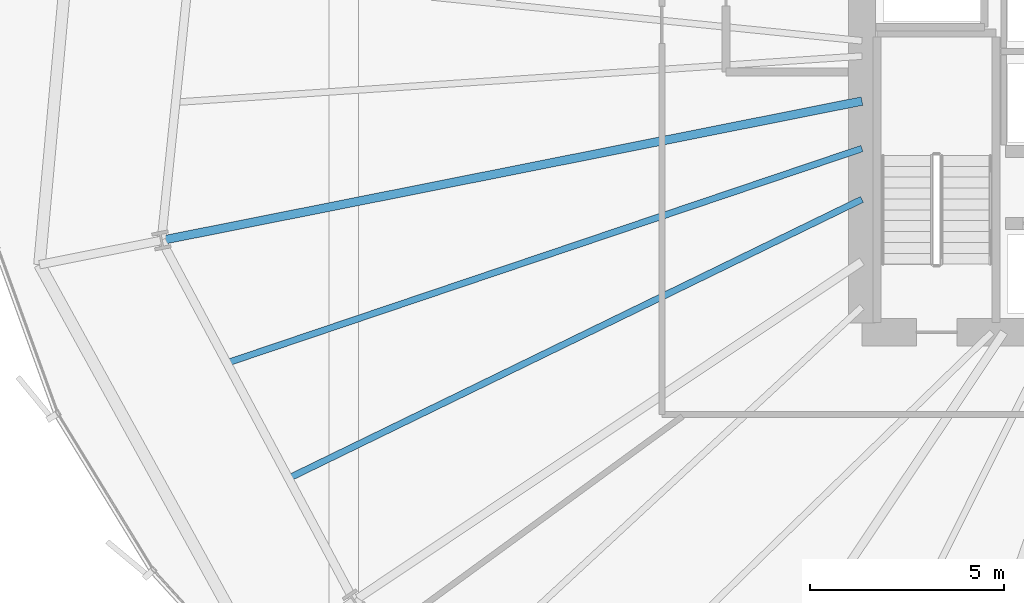
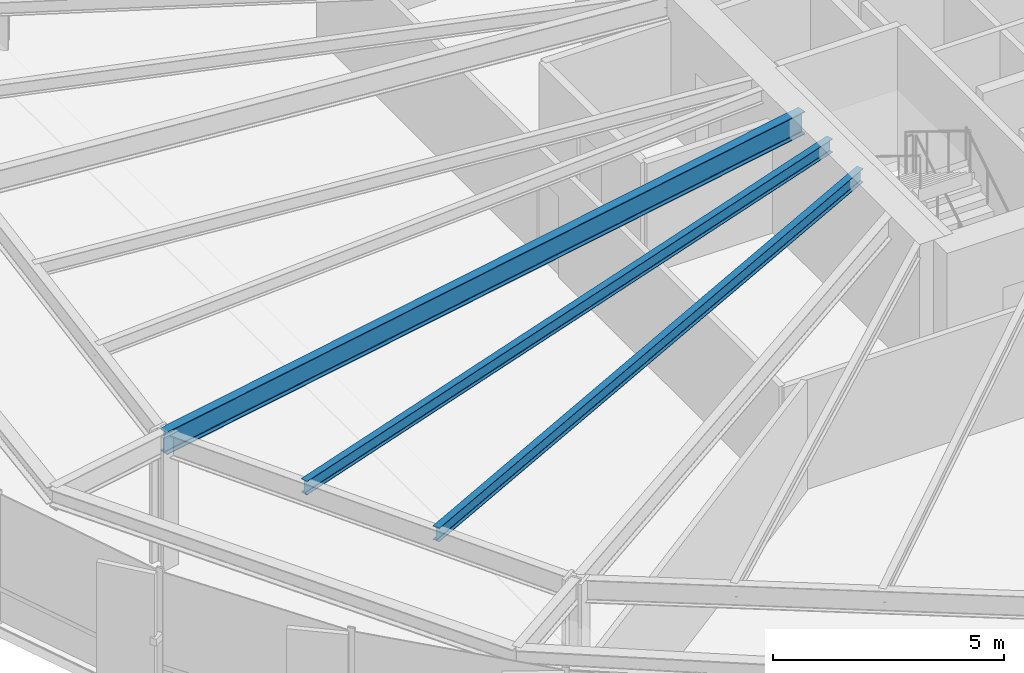
# One storey, part 8 of 42: 3 beams.
"""IFC4 building model written with IfcOpenShell, lengths in metres."""

from ifc_helpers import new_model, si_unit, direction, frame, origin, origin_2d, place, context, subcontext, project, spatial, i_section, extrude, source, transform, mapped, material, material_profile, profile_set, type_object, element, save


model = new_model("IFC4")

# Units and contexts
model_context = context("Model", 3, precision=1e-05, world=origin(), true_north=direction((0.0, 1.0)))
body_context = subcontext(model_context, "Body", "Model", "MODEL_VIEW")
ifc_project = project(units=[si_unit("LENGTHUNIT", "METRE"), si_unit("AREAUNIT", "SQUARE_METRE"), si_unit("VOLUMEUNIT", "CUBIC_METRE"), si_unit("PLANEANGLEUNIT", "RADIAN"), si_unit("MASSUNIT", "GRAM", prefix="KILO"), si_unit("THERMODYNAMICTEMPERATUREUNIT", "KELVIN")], contexts=[model_context])

# Site, building, storey
site_placement = place(None, origin())
site = spatial("IfcSite", under=ifc_project, at=site_placement, CompositionType="ELEMENT")
building_placement = place(site_placement, origin())
building = spatial("IfcBuilding", under=site, at=building_placement, Name="Kethvar Cultural Tower", CompositionType="ELEMENT")
storey_placement = place(building_placement, frame((0.0, 0.0, 37.199951171875)))
storey = spatial("IfcBuildingStorey", under=building, at=storey_placement, Name="L08", CompositionType="ELEMENT", Elevation=37.199951171875)

# Beams
ifc_material = material(Name="Steel S355J2", Category="steel")
ifc_material_profile_1 = material_profile(ifc_material, i_section(OverallWidth=0.219970703125, OverallDepth=0.60009765625, WebThickness=0.011962890625, FlangeThickness=0.01904296875, FilletRadius=0.02392578125, at=origin_2d()), Name="Steel S355J2 — IPE600")
ifc_profile_set_1 = profile_set([ifc_material_profile_1], Name="Steel S355J2 — IPE600")
beam_type_1 = type_object("IfcBeamType", Name="BM-IPE600", PredefinedType="BEAM", material=ifc_profile_set_1)
shared_shape_1 = source(origin(), body_context, "Body", "SweptSolid", [
    extrude(i_section(OverallWidth=0.219970703125, OverallDepth=0.60009765625, WebThickness=0.011962890625, FlangeThickness=0.01904296875, FilletRadius=0.02392578125, at=origin_2d()), origin(), (0.0, 0.0, 1.0), 18.387451171875),
])
beam_1_placement = place(storey_placement, frame((38.0, 26.049560546875, 3.248046875), z_axis=(-0.980785937774, -0.195087017162, 0.0), x_axis=(0.195087017162, -0.980785937774, 0.0)))
element("IfcBeam", 1, at=beam_1_placement, inside=storey, type_object=beam_type_1, Name="L08 Primary Radial Beam RB-09", PredefinedType="BEAM", context=body_context, shape_type="MappedRepresentation", body=[
    mapped(shared_shape_1, transform((0.0, 0.0, 0.0), scale=1.0)),
])
ifc_material_profile_2 = material_profile(ifc_material, i_section(OverallWidth=0.169921875, OverallDepth=0.360107421875, WebThickness=0.008056640625, FlangeThickness=0.0126953125, FilletRadius=0.01806640625, at=origin_2d()), Name="Steel S355J2 — IPE360")
ifc_profile_set_2 = profile_set([ifc_material_profile_2], Name="Steel S355J2 — IPE360")
beam_type_2 = type_object("IfcBeamType", Name="BM-J360", PredefinedType="JOIST", material=ifc_profile_set_2)
shared_shape_2 = source(origin(), body_context, "Body", "SweptSolid", [
    extrude(i_section(OverallWidth=0.169921875, OverallDepth=0.360107421875, WebThickness=0.008056640625, FlangeThickness=0.0126953125, FilletRadius=0.01806640625, at=origin_2d()), origin(), (0.0, 0.0, 1.0), 17.255126953125),
])
beam_2_placement = place(storey_placement, frame((38.0, 24.828369140625, 3.3681640625), z_axis=(-0.947435140552, -0.319947893332, 0.0), x_axis=(0.319947893332, -0.947435140552, 0.0)))
element("IfcBeam", 2, at=beam_2_placement, inside=storey, type_object=beam_type_2, Name="L08 Composite Floor Joist J-09A", PredefinedType="JOIST", context=body_context, shape_type="MappedRepresentation", body=[
    mapped(shared_shape_2, transform((0.0, 0.0, 0.0), scale=1.0)),
])
shared_shape_3 = source(origin(), body_context, "Body", "SweptSolid", [
    extrude(i_section(OverallWidth=0.169921875, OverallDepth=0.360107421875, WebThickness=0.008056640625, FlangeThickness=0.0126953125, FilletRadius=0.01806640625, at=origin_2d()), origin(), (0.0, 0.0, 1.0), 16.4150390625),
])
beam_3_placement = place(storey_placement, frame((38.0, 23.51904296875, 3.3681640625), z_axis=(-0.899246473736, -0.437442315595, 0.0), x_axis=(0.437442315595, -0.899246473736, 0.0)))
element("IfcBeam", 3, at=beam_3_placement, inside=storey, type_object=beam_type_2, Name="L08 Composite Floor Joist J-09B", PredefinedType="JOIST", context=body_context, shape_type="MappedRepresentation", body=[
    mapped(shared_shape_3, transform((0.0, 0.0, 0.0), scale=1.0)),
])

save(model, "model.ifc")
